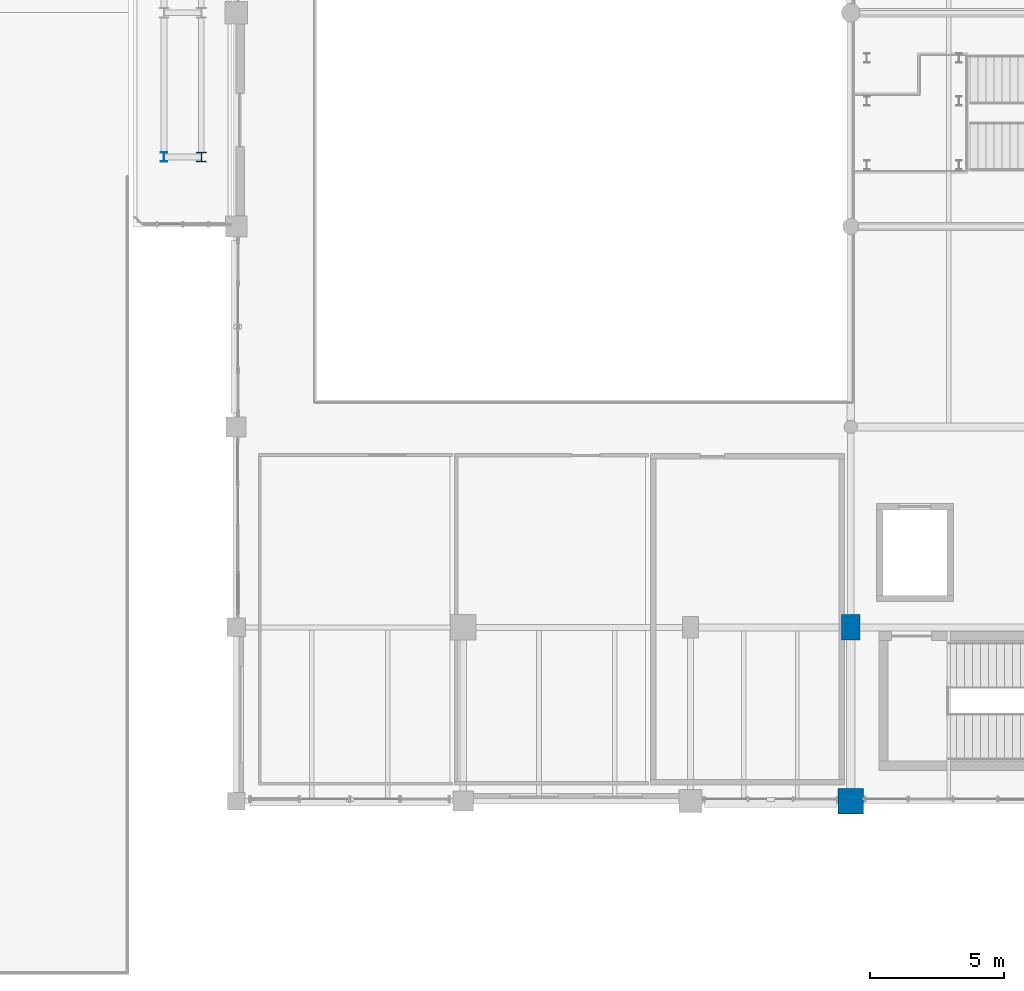
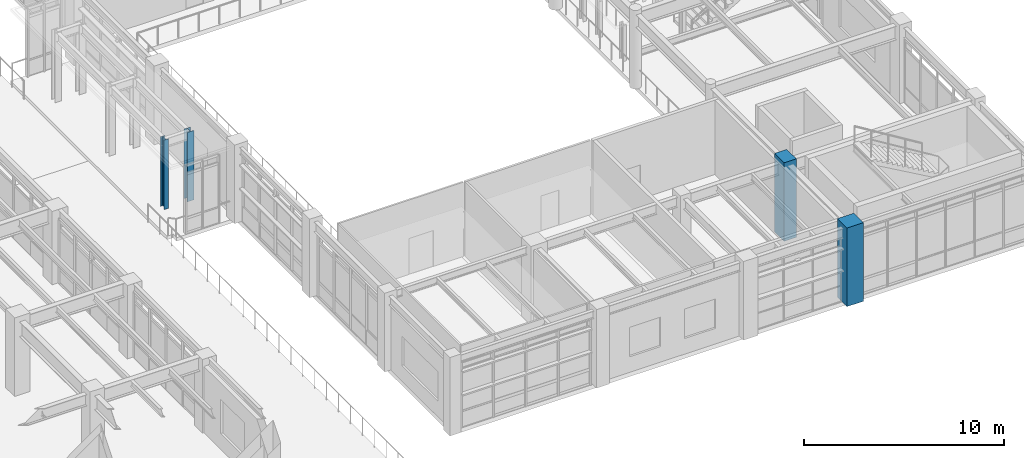
# One storey, part 12 of 200: 4 columns.
"""IFC4 building model written with IfcOpenShell, lengths in metres."""

from ifc_helpers import new_model, si_unit, direction, frame, origin, origin_2d, place, context, subcontext, project, spatial, rectangle, i_section, extrude, material, material_profile, profile_set, type_object, element, save


model = new_model("IFC4")

# Units and contexts
model_context = context("Model", 3, precision=1e-05, world=origin(), true_north=direction((0.0, 1.0)))
body_context = subcontext(model_context, "Body", "Model", "MODEL_VIEW")
ifc_project = project(units=[si_unit("LENGTHUNIT", "METRE"), si_unit("AREAUNIT", "SQUARE_METRE"), si_unit("VOLUMEUNIT", "CUBIC_METRE"), si_unit("PLANEANGLEUNIT", "RADIAN"), si_unit("MASSUNIT", "GRAM", prefix="KILO"), si_unit("THERMODYNAMICTEMPERATUREUNIT", "KELVIN"), si_unit("POWERUNIT", "WATT")], contexts=[model_context])

# Site, building, storey
site_placement = place(None, origin())
site = spatial("IfcSite", under=ifc_project, at=site_placement, CompositionType="ELEMENT")
building_placement = place(site_placement, origin())
building = spatial("IfcBuilding", under=site, at=building_placement, Name="Tepalcoro Natatorium and Aquatics Centre", CompositionType="ELEMENT")
storey_placement = place(building_placement, frame((0.0, 0.0, 5.39990234375)))
storey = spatial("IfcBuildingStorey", under=building, at=storey_placement, Name="L01", CompositionType="ELEMENT", Elevation=5.39990234375)

# Columns
ifc_material_1 = material(Name="Concrete C40/50 (fc 40 MPa)", Category="concrete")
ifc_material_profile_1 = material_profile(ifc_material_1, rectangle(XDim=0.699951171875, YDim=0.949951171875, at=origin_2d()), Name="RC700x950")
ifc_profile_set_1 = profile_set([ifc_material_profile_1], Name="Concrete C40/50 (fc 40 MPa)")
column_type_1 = type_object("IfcColumnType", Name="COL_RC_700x950", PredefinedType="COLUMN", material=ifc_profile_set_1)
column_1_placement = place(storey_placement, frame((165.0, 13.0, 0.0), z_axis=(0.0, 0.0, 1.0), x_axis=(1.0, 0.0, 0.0)))
element("IfcColumn", 1, at=column_1_placement, inside=storey, type_object=column_type_1, Name="V2 L01 Grid Column (165.0, 13.0)", PredefinedType="COLUMN", context=body_context, shape_type="SweptSolid", body=[
    extrude(rectangle(XDim=0.699951171875, YDim=0.949951171875, at=origin_2d()), origin(), (0.0, 0.0, 1.0), 4.800048828125),
])
ifc_material_profile_2 = material_profile(ifc_material_1, rectangle(XDim=0.949951171875, YDim=0.949951171875, at=origin_2d()), Name="RC950x950")
ifc_profile_set_2 = profile_set([ifc_material_profile_2], Name="Concrete C40/50 (fc 40 MPa)")
column_type_2 = type_object("IfcColumnType", Name="COL_RC_950x950", PredefinedType="COLUMN", material=ifc_profile_set_2)
column_2_placement = place(storey_placement, frame((165.0, 6.5, 0.0), z_axis=(0.0, 0.0, 1.0), x_axis=(1.0, 0.0, 0.0)))
element("IfcColumn", 2, at=column_2_placement, inside=storey, type_object=column_type_2, Name="V2 L01 Grid Column (165.0, 6.5)", PredefinedType="COLUMN", context=body_context, shape_type="SweptSolid", body=[
    extrude(rectangle(XDim=0.949951171875, YDim=0.949951171875, at=origin_2d()), origin(), (0.0, 0.0, 1.0), 4.800048828125),
])
ifc_material_2 = material(Name="Steel ASTM A992 Grade 50 (Fy 345 MPa)", Category="steel")
ifc_material_profile_3 = material_profile(ifc_material_2, i_section(OverallWidth=0.25390625, OverallDepth=0.35595703125, WebThickness=0.010986328125, FlangeThickness=0.01806640625, FilletRadius=0.013916015625, at=origin_2d()), Name="W14X68")
ifc_profile_set_3 = profile_set([ifc_material_profile_3], Name="Steel ASTM A992 Grade 50 (Fy 345 MPa)")
column_type_3 = type_object("IfcColumnType", Name="COL_W14x68", PredefinedType="COLUMN", material=ifc_profile_set_3)
column_3_placement = place(storey_placement, frame((139.300048828125, 30.60009765625, 0.0), z_axis=(0.0, 0.0, 1.0), x_axis=(1.0, 0.0, 0.0)))
element("IfcColumn", 3, at=column_3_placement, inside=storey, type_object=column_type_3, Name="East Diving Seismic Link Column L01", PredefinedType="COLUMN", context=body_context, shape_type="SweptSolid", body=[
    extrude(i_section(OverallWidth=0.25390625, OverallDepth=0.35595703125, WebThickness=0.010986328125, FlangeThickness=0.01806640625, FilletRadius=0.013916015625, at=origin_2d()), origin(), (0.0, 0.0, 1.0), 4.239990234375),
])
ifc_material_profile_4 = material_profile(ifc_material_2, i_section(OverallWidth=0.367919921875, OverallDepth=0.35595703125, WebThickness=0.010986328125, FlangeThickness=0.01806640625, FilletRadius=0.013916015625, at=origin_2d()), Name="W14X90")
ifc_profile_set_4 = profile_set([ifc_material_profile_4], Name="Steel ASTM A992 Grade 50 (Fy 345 MPa)")
column_type_4 = type_object("IfcColumnType", Name="COL_W14x90", PredefinedType="COLUMN", material=ifc_profile_set_4)
column_4_placement = place(storey_placement, frame((140.699951171875, 30.60009765625, 0.0), z_axis=(0.0, 0.0, 1.0), x_axis=(1.0, 0.0, 0.0)))
element("IfcColumn", 4, at=column_4_placement, inside=storey, type_object=column_type_4, Name="East Diving Seismic Link Column L01", PredefinedType="COLUMN", context=body_context, shape_type="SweptSolid", body=[
    extrude(i_section(OverallWidth=0.367919921875, OverallDepth=0.35595703125, WebThickness=0.010986328125, FlangeThickness=0.01806640625, FilletRadius=0.013916015625, at=origin_2d()), origin(), (0.0, 0.0, 1.0), 4.239990234375),
])

save(model, "model.ifc")
